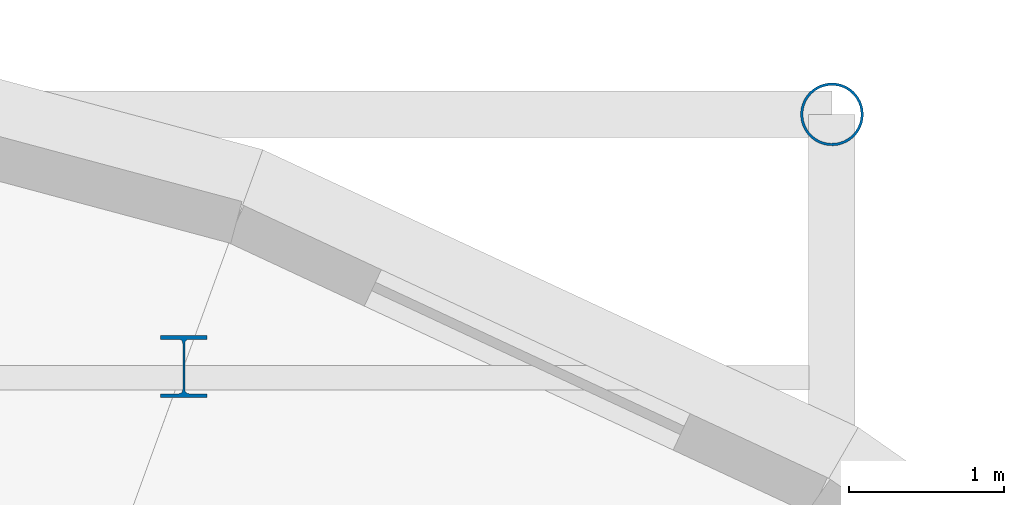
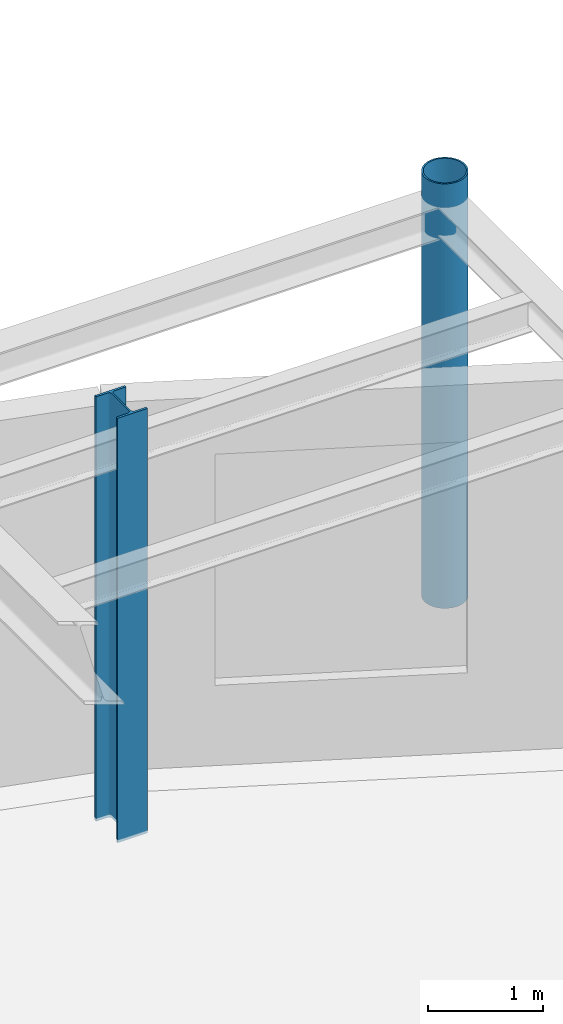
# One storey, part 16 of 91: 2 columns.
"""IFC4 building model written with IfcOpenShell, lengths in metres."""

from ifc_helpers import new_model, si_unit, direction, frame, origin, origin_2d, place, context, subcontext, project, spatial, hollow_circle, i_section, extrude, material, material_profile, profile_set, type_object, element, save


model = new_model("IFC4")

# Units and contexts
model_context = context("Model", 3, precision=1e-05, world=origin(), true_north=direction((0.0, 1.0)))
body_context = subcontext(model_context, "Body", "Model", "MODEL_VIEW")
ifc_project = project(units=[si_unit("LENGTHUNIT", "METRE"), si_unit("AREAUNIT", "SQUARE_METRE"), si_unit("VOLUMEUNIT", "CUBIC_METRE"), si_unit("PLANEANGLEUNIT", "RADIAN"), si_unit("MASSUNIT", "GRAM", prefix="KILO")], contexts=[model_context])

# Site, building, storey
site_placement = place(None, origin())
site = spatial("IfcSite", under=ifc_project, at=site_placement, CompositionType="ELEMENT")
building_placement = place(site_placement, origin())
building = spatial("IfcBuilding", under=site, at=building_placement, Name="Kolvaren Corner Interchange", CompositionType="ELEMENT")
storey_placement = place(building_placement, frame((0.0, 0.0, 6.0)))
storey = spatial("IfcBuildingStorey", under=building, at=storey_placement, Name="L02", CompositionType="ELEMENT", Elevation=6.0)

# Columns
ifc_material_1 = material(Name="Steel S355", Category="steel")
ifc_material_profile_1 = material_profile(ifc_material_1, hollow_circle(Radius=0.203125, WallThickness=0.01611328125, at=origin_2d()), Name="CHS 406.4x16.0")
ifc_profile_set_1 = profile_set([ifc_material_profile_1], Name="Steel S355")
column_type_1 = type_object("IfcColumnType", Name="COL-CHS406", PredefinedType="COLUMN", material=ifc_profile_set_1)
column_1_placement = place(storey_placement, frame((132.0, 71.10009765625, 0.0), z_axis=(0.0, 0.0, 1.0), x_axis=(1.0, 0.0, 0.0)))
element("IfcColumn", 1, at=column_1_placement, inside=storey, type_object=column_type_1, Name="Storey L02 Structural Column 0781", PredefinedType="COLUMN", context=body_context, shape_type="SweptSolid", body=[
    extrude(hollow_circle(Radius=0.203125, WallThickness=0.01611328125, at=origin_2d()), origin(), (0.0, 0.0, 1.0), 4.5),
])
ifc_material_2 = material(Name="Steel S355", Category="steel")
ifc_material_profile_2 = material_profile(ifc_material_2, i_section(OverallWidth=0.300048828125, OverallDepth=0.39990234375, WebThickness=0.013427734375, FlangeThickness=0.02392578125, FilletRadius=0.027099609375, at=origin_2d()), Name="HEB 400")
ifc_profile_set_2 = profile_set([ifc_material_profile_2], Name="Steel S355")
column_type_2 = type_object("IfcColumnType", Name="COL-HEB400", PredefinedType="COLUMN", material=ifc_profile_set_2)
column_2_placement = place(storey_placement, frame((127.81494140625, 69.471923828125, 0.0), z_axis=(0.0, 0.0, 1.0), x_axis=(1.0, 0.0, 0.0)))
element("IfcColumn", 2, at=column_2_placement, inside=storey, type_object=column_type_2, Name="Storey L02 Structural Column 0845", PredefinedType="COLUMN", context=body_context, shape_type="SweptSolid", body=[
    extrude(i_section(OverallWidth=0.300048828125, OverallDepth=0.39990234375, WebThickness=0.013427734375, FlangeThickness=0.02392578125, FilletRadius=0.027099609375, at=origin_2d()), origin(), (0.0, 0.0, 1.0), 4.5),
])

save(model, "model.ifc")
